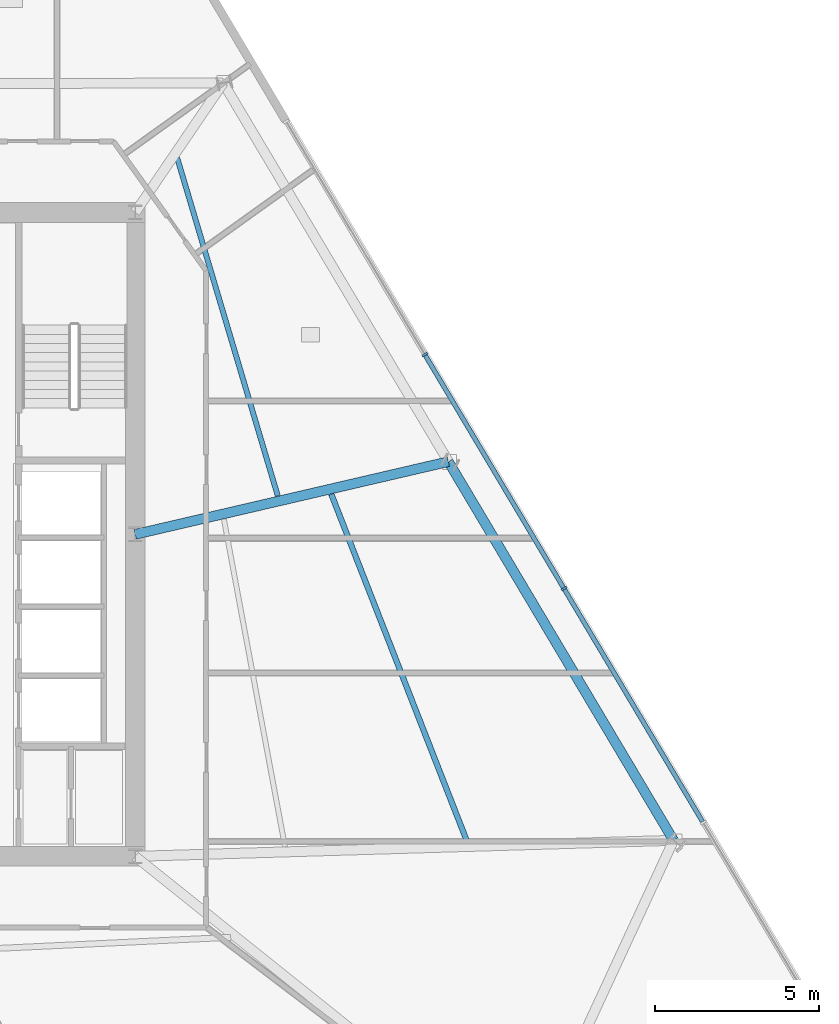
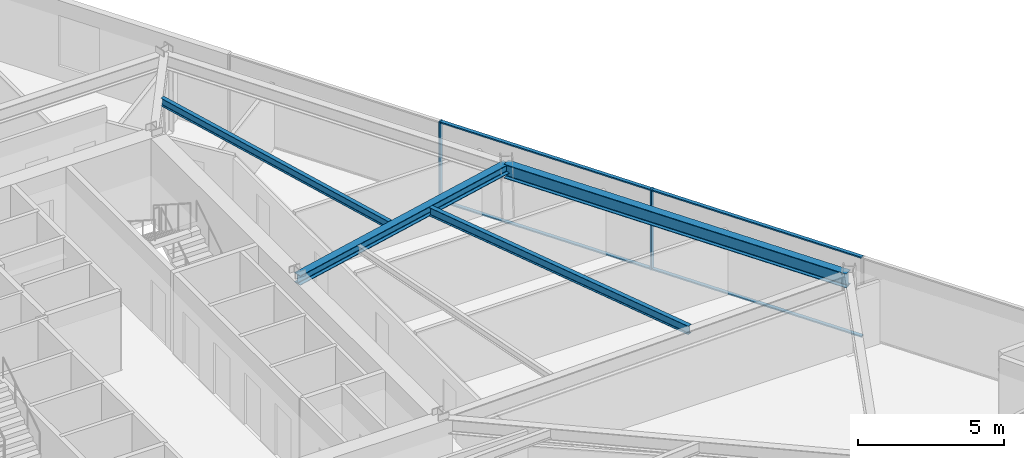
# One storey, part 6 of 16: 6 members, 4 beams, 1 element without a shape of its own.
"""IFC4 building model written with IfcOpenShell, lengths in metres."""

from ifc_helpers import new_model, si_unit, direction, frame, origin, origin_2d, place, context, subcontext, project, spatial, rectangle, i_section, extrude, material, material_profile, profile_set, type_object, element, aggregate, save


model = new_model("IFC4")

# Units and contexts
model_context = context("Model", 3, precision=1e-05, world=origin(), true_north=direction((0.0, 1.0)))
body_context = subcontext(model_context, "Body", "Model", "MODEL_VIEW")
ifc_project = project(units=[si_unit("LENGTHUNIT", "METRE"), si_unit("AREAUNIT", "SQUARE_METRE"), si_unit("VOLUMEUNIT", "CUBIC_METRE"), si_unit("PLANEANGLEUNIT", "RADIAN"), si_unit("MASSUNIT", "GRAM", prefix="KILO")], contexts=[model_context])

# Site, building, storey
site_placement = place(None, origin())
site = spatial("IfcSite", under=ifc_project, at=site_placement, CompositionType="ELEMENT")
building_placement = place(site_placement, origin())
building = spatial("IfcBuilding", under=site, at=building_placement, Name="Savorim Split Tower", CompositionType="ELEMENT")
storey_placement = place(building_placement, frame((0.0, 0.0, 66.0)))
storey = spatial("IfcBuildingStorey", under=building, at=storey_placement, Name="L17", CompositionType="ELEMENT", Elevation=66.0)

# Beams
ifc_material_1 = material(Name="Steel S355", Category="steel")
ifc_material_profile_1 = material_profile(ifc_material_1, i_section(OverallWidth=0.159912109375, OverallDepth=0.330078125, WebThickness=0.007568359375, FlangeThickness=0.011474609375, FilletRadius=0.01806640625, at=origin_2d()), Name="IPE 330")
ifc_profile_set_1 = profile_set([ifc_material_profile_1], Name="Steel S355")
beam_type_1 = type_object("IfcBeamType", Name="BM-JST-IPE330", PredefinedType="JOIST", material=ifc_profile_set_1)
beam_1_placement = place(storey_placement, frame((12.039306640625, 1.572021484375, 3.18505859375), z_axis=(-0.285237425708, 0.958456890515, 0.0), x_axis=(-0.958456890515, -0.285237425708, 0.0)))
element("IfcBeam", 1, at=beam_1_placement, inside=storey, type_object=beam_type_1, Name="L17 Secondary Floor Joist JS-07", PredefinedType="JOIST", context=body_context, shape_type="SweptSolid", body=[
    extrude(i_section(OverallWidth=0.159912109375, OverallDepth=0.330078125, WebThickness=0.007568359375, FlangeThickness=0.011474609375, FilletRadius=0.01806640625, at=origin_2d()), origin(), (0.0, 0.0, 1.0), 10.733154296875),
])
ifc_material_profile_2 = material_profile(ifc_material_1, i_section(OverallWidth=0.169921875, OverallDepth=0.360107421875, WebThickness=0.008056640625, FlangeThickness=0.0126953125, FilletRadius=0.01806640625, at=origin_2d()), Name="IPE 360")
ifc_profile_set_2 = profile_set([ifc_material_profile_2], Name="Steel S355")
beam_type_2 = type_object("IfcBeamType", Name="BM-JST-IPE360", PredefinedType="JOIST", material=ifc_profile_set_2)
beam_2_placement = place(storey_placement, frame((17.80126953125, -8.948486328125, 3.169921875), z_axis=(-0.364081437285, 0.931367117213, 0.0), x_axis=(-0.931367117213, -0.364081437285, 0.0)))
element("IfcBeam", 2, at=beam_2_placement, inside=storey, type_object=beam_type_2, Name="L17 Secondary Floor Joist JS-06", PredefinedType="JOIST", context=body_context, shape_type="SweptSolid", body=[
    extrude(i_section(OverallWidth=0.169921875, OverallDepth=0.360107421875, WebThickness=0.008056640625, FlangeThickness=0.0126953125, FilletRadius=0.01806640625, at=origin_2d()), origin(), (0.0, 0.0, 1.0), 11.351318359375),
])
ifc_material_profile_3 = material_profile(ifc_material_1, i_section(OverallWidth=0.300048828125, OverallDepth=0.39990234375, WebThickness=0.013427734375, FlangeThickness=0.02392578125, FilletRadius=0.027099609375, at=origin_2d()), Name="HEB 400")
ifc_profile_set_3 = profile_set([ifc_material_profile_3], Name="Steel S355")
beam_type_3 = type_object("IfcBeamType", Name="BM-PRI-HEB400", PredefinedType="BEAM", material=ifc_profile_set_3)
beam_3_placement = place(storey_placement, frame((17.232666015625, 2.6142578125, 3.14990234375), z_axis=(-0.974065594203, -0.226265813129, 0.0), x_axis=(0.226265813129, -0.974065594203, 0.0)))
element("IfcBeam", 3, at=beam_3_placement, inside=storey, type_object=beam_type_3, Name="L17 Primary Floor Girder RG-06", PredefinedType="BEAM", context=body_context, shape_type="SweptSolid", body=[
    extrude(i_section(OverallWidth=0.300048828125, OverallDepth=0.39990234375, WebThickness=0.013427734375, FlangeThickness=0.02392578125, FilletRadius=0.027099609375, at=origin_2d()), origin(), (0.0, 0.0, 1.0), 9.78662109375),
])
ifc_material_profile_4 = material_profile(ifc_material_1, i_section(OverallWidth=0.300048828125, OverallDepth=0.590087890625, WebThickness=0.012939453125, FlangeThickness=0.02490234375, FilletRadius=0.027099609375, at=origin_2d()), Name="HEA 600")
ifc_profile_set_4 = profile_set([ifc_material_profile_4], Name="Steel S355")
beam_type_4 = type_object("IfcBeamType", Name="BM-SPN-HEA600", PredefinedType="SPANDREL", material=ifc_profile_set_4)
beam_4_placement = place(storey_placement, frame((24.08642578125, -8.912109375, 3.054931640625), z_axis=(-0.511088843227, 0.859527890373, 0.0), x_axis=(-0.859527890373, -0.511088843227, 0.0)))
element("IfcBeam", 4, at=beam_4_placement, inside=storey, type_object=beam_type_4, Name="L17 Perimeter Spandrel Beam 5", PredefinedType="SPANDREL", context=body_context, shape_type="SweptSolid", body=[
    extrude(i_section(OverallWidth=0.300048828125, OverallDepth=0.590087890625, WebThickness=0.012939453125, FlangeThickness=0.02490234375, FilletRadius=0.027099609375, at=origin_2d()), origin(), (0.0, 0.0, 1.0), 13.41015625),
])

# Curtain wall, members
ifc_material_2 = material(Name="Dark Ceramic-Fritted Insulated Glass", Category="glass")
curtain_wall_type = type_object("IfcCurtainWallType", Name="CW-TWR-FRIT-A", PredefinedType="NOTDEFINED", material=ifc_material_2)
curtain_wall_placement = place(storey_placement, origin())
curtain_wall = element("IfcCurtainWall", 5, at=curtain_wall_placement, inside=storey, type_object=curtain_wall_type, Name="L17 Curtain Wall CW-L17-EAST", PredefinedType="NOTDEFINED")
ifc_material_3 = material(Name="Charcoal Anodised Aluminium", Category="aluminium")
ifc_material_profile_5 = material_profile(ifc_material_3, rectangle(XDim=0.179931640625, YDim=0.06494140625, at=origin_2d()), Name="ALU-M 180x65")
ifc_profile_set_5 = profile_set([ifc_material_profile_5], Name="Charcoal Anodised Aluminium")
member_type_1 = type_object("IfcMemberType", Name="CWM-180x65", PredefinedType="MULLION", material=ifc_profile_set_5)
member_1_placement = place(storey_placement, frame((20.750244140625, -1.248779296875, 0.0), z_axis=(0.0, 0.0, 1.0), x_axis=(-0.859525822673, -0.511092320583, 0.0)))
member_1 = element("IfcMember", 6, at=member_1_placement, type_object=member_type_1, Name="CW-02 mullion 3", PredefinedType="MULLION", context=body_context, shape_type="SweptSolid", body=[
    extrude(rectangle(XDim=0.179931640625, YDim=0.06494140625, at=origin_2d()), origin(), (0.0, 0.0, 1.0), 3.35009765625),
])
member_2_placement = place(storey_placement, frame((16.51513671875, 5.87353515625, 0.0), z_axis=(0.0, 0.0, 1.0), x_axis=(-0.859525822673, -0.511092320583, 0.0)))
member_2 = element("IfcMember", 7, at=member_2_placement, type_object=member_type_1, Name="CW-02 mullion 4", PredefinedType="MULLION", context=body_context, shape_type="SweptSolid", body=[
    extrude(rectangle(XDim=0.179931640625, YDim=0.06494140625, at=origin_2d()), origin(), (0.0, 0.0, 1.0), 3.35009765625),
])
ifc_material_profile_6 = material_profile(ifc_material_3, rectangle(XDim=0.139892578125, YDim=0.054931640625, at=origin_2d()), Name="ALU-T 140x55")
ifc_profile_set_6 = profile_set([ifc_material_profile_6], Name="Charcoal Anodised Aluminium")
member_type_2 = type_object("IfcMemberType", Name="CWT-140x55", PredefinedType="USERDEFINED", material=ifc_profile_set_6)
member_3_placement = place(storey_placement, frame((24.96875, -8.343505859375, 0.027587890625), z_axis=(-0.511085472891, 0.859529894419, 0.0), x_axis=(-0.859529894419, -0.511085472891, 0.0)))
member_3 = element("IfcMember", 8, at=member_3_placement, type_object=member_type_2, Name="CW-02 transom 2.1", ObjectType="TRANSOM", PredefinedType="USERDEFINED", context=body_context, shape_type="SweptSolid", body=[
    extrude(rectangle(XDim=0.139892578125, YDim=0.054931640625, at=origin_2d()), origin(), (0.0, 0.0, 1.0), 8.221435546875),
])
member_4_placement = place(storey_placement, frame((24.96875, -8.343505859375, 3.322509765625), z_axis=(-0.511085472891, 0.859529894419, 0.0), x_axis=(-0.859529894419, -0.511085472891, 0.0)))
member_4 = element("IfcMember", 9, at=member_4_placement, type_object=member_type_2, Name="CW-02 transom 2.2", ObjectType="TRANSOM", PredefinedType="USERDEFINED", context=body_context, shape_type="SweptSolid", body=[
    extrude(rectangle(XDim=0.139892578125, YDim=0.054931640625, at=origin_2d()), origin(), (0.0, 0.0, 1.0), 8.221435546875),
])
member_5_placement = place(storey_placement, frame((20.733642578125, -1.220947265625, 0.027587890625), z_axis=(-0.511085472891, 0.859529894419, 0.0), x_axis=(-0.859529894419, -0.511085472891, 0.0)))
member_5 = element("IfcMember", 10, at=member_5_placement, type_object=member_type_2, Name="CW-02 transom 3.1", ObjectType="TRANSOM", PredefinedType="USERDEFINED", context=body_context, shape_type="SweptSolid", body=[
    extrude(rectangle(XDim=0.139892578125, YDim=0.054931640625, at=origin_2d()), origin(), (0.0, 0.0, 1.0), 8.221435546875),
])
member_6_placement = place(storey_placement, frame((20.733642578125, -1.220947265625, 3.322509765625), z_axis=(-0.511085472891, 0.859529894419, 0.0), x_axis=(-0.859529894419, -0.511085472891, 0.0)))
member_6 = element("IfcMember", 11, at=member_6_placement, type_object=member_type_2, Name="CW-02 transom 3.2", ObjectType="TRANSOM", PredefinedType="USERDEFINED", context=body_context, shape_type="SweptSolid", body=[
    extrude(rectangle(XDim=0.139892578125, YDim=0.054931640625, at=origin_2d()), origin(), (0.0, 0.0, 1.0), 8.221435546875),
])
aggregate(curtain_wall, [member_1, member_2, member_3, member_4, member_5, member_6])

save(model, "model.ifc")
